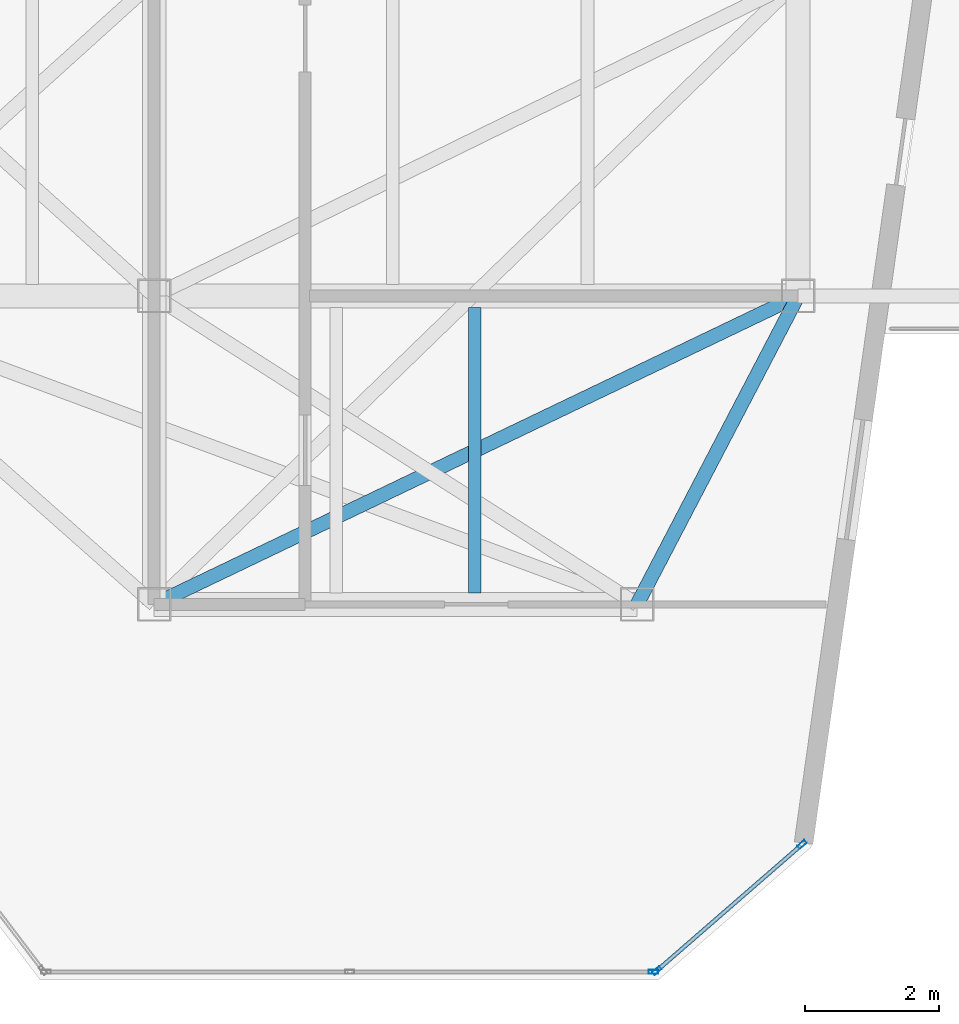
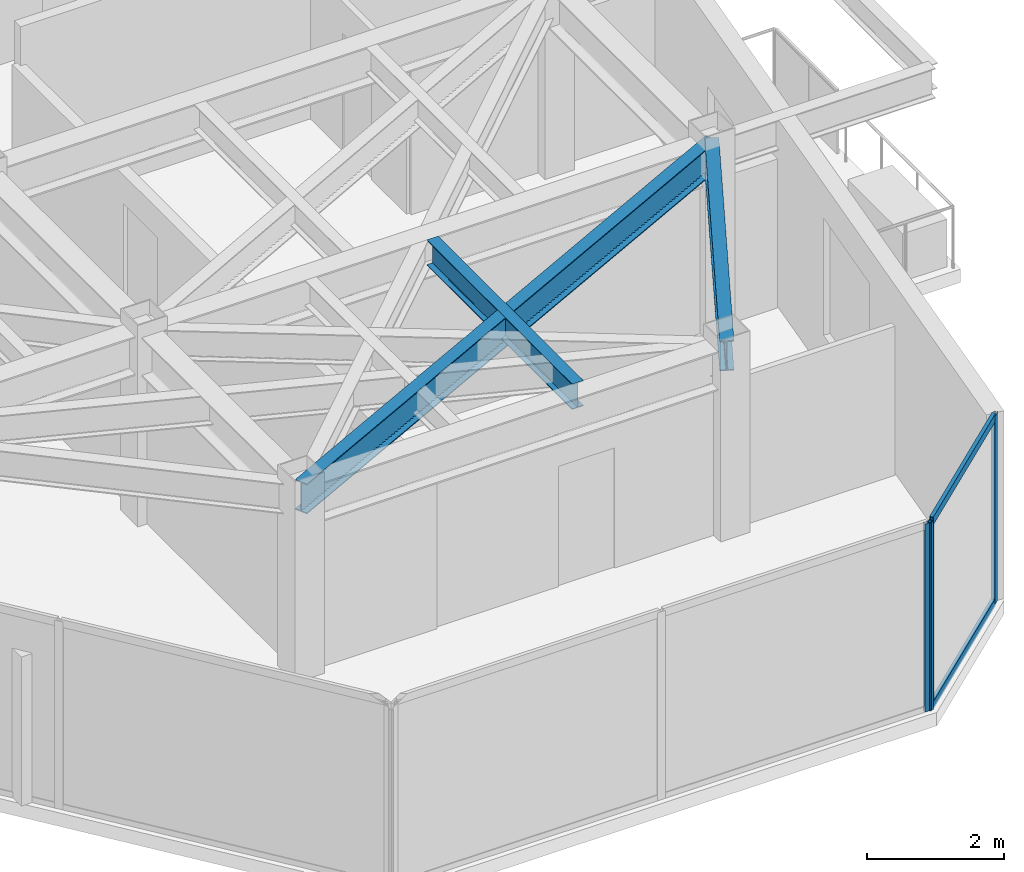
# One storey, part 14 of 20: 5 members, 3 beams, 2 elements without a shape of their own.
"""IFC4 building model written with IfcOpenShell, lengths in metres."""

from ifc_helpers import new_model, si_unit, direction, frame, origin, origin_2d, place, context, subcontext, project, spatial, hollow_rectangle, i_section, extrude, material, layer, layer_set, material_profile, profile_set, type_object, element, aggregate, save


model = new_model("IFC4")

# Units and contexts
model_context = context("Model", 3, precision=1e-05, world=origin(), true_north=direction((0.0, 1.0)))
body_context = subcontext(model_context, "Body", "Model", "MODEL_VIEW")
ifc_project = project(units=[si_unit("LENGTHUNIT", "METRE"), si_unit("AREAUNIT", "SQUARE_METRE"), si_unit("VOLUMEUNIT", "CUBIC_METRE"), si_unit("PLANEANGLEUNIT", "RADIAN"), si_unit("MASSUNIT", "GRAM", prefix="KILO")], contexts=[model_context])

# Site, building, storey
site_placement = place(None, origin())
site = spatial("IfcSite", under=ifc_project, at=site_placement, CompositionType="ELEMENT")
building_placement = place(site_placement, origin())
building = spatial("IfcBuilding", under=site, at=building_placement, Name="Kravanh Interchange Tower", CompositionType="ELEMENT")
storey_placement = place(building_placement, frame((0.0, 0.0, 234.60009765625)))
storey = spatial("IfcBuildingStorey", under=building, at=storey_placement, Name="L56", CompositionType="ELEMENT", Elevation=234.60009765625)

# Curtain wall, members
ifc_material_1 = material(Name="Anodised Bronze Aluminium", Category="aluminium")
ifc_layer = layer(ifc_material_1, 0.179931640625)
ifc_layer_set = layer_set([ifc_layer], Name="Unitised Curtain Wall System CW-HTL Luxury Hotel")
curtain_wall_type = type_object("IfcCurtainWallType", Name="Unitised Curtain Wall System CW-HTL Luxury Hotel", PredefinedType="NOTDEFINED", material=ifc_layer_set)
curtain_wall_1_placement = place(storey_placement, origin())
curtain_wall_1 = element("IfcCurtainWall", 1, at=curtain_wall_1_placement, inside=storey, type_object=curtain_wall_type, Name="L56 Unitised Curtain Wall CW-L56-02", PredefinedType="NOTDEFINED")
ifc_material_2 = material(Name="Anodised Bronze Aluminium", Category="aluminium")
ifc_material_profile_1 = material_profile(ifc_material_2, hollow_rectangle(XDim=0.06005859375, YDim=0.139892578125, WallThickness=0.00390625, at=origin_2d()), Name="ALU60X140X4")
ifc_profile_set_1 = profile_set([ifc_material_profile_1], Name="Anodised Bronze Aluminium")
member_type_1 = type_object("IfcMemberType", Name="Curtain Wall Mullion ALU60X140X4 Bronze", PredefinedType="MULLION", material=ifc_profile_set_1)
member_1_placement = place(storey_placement, frame((65.659912109375, 18.621826171875, 0.0), z_axis=(0.0, 0.0, 1.0), x_axis=(0.656033323139, -0.75473192521, 0.0)))
member_1 = element("IfcMember", 2, at=member_1_placement, type_object=member_type_1, Name="CW-HTL mullion 1", PredefinedType="MULLION", context=body_context, shape_type="SweptSolid", body=[
    extrude(hollow_rectangle(XDim=0.06005859375, YDim=0.139892578125, WallThickness=0.00390625, at=origin_2d()), origin(), (0.0, 0.0, 1.0), 3.35986328125),
])
member_2_placement = place(storey_placement, frame((63.494384765625, 16.73974609375, 0.0), z_axis=(0.0, 0.0, 1.0), x_axis=(0.656033323139, -0.75473192521, 0.0)))
member_2 = element("IfcMember", 3, at=member_2_placement, type_object=member_type_1, Name="CW-HTL mullion 2", PredefinedType="MULLION", context=body_context, shape_type="SweptSolid", body=[
    extrude(hollow_rectangle(XDim=0.06005859375, YDim=0.139892578125, WallThickness=0.00390625, at=origin_2d()), origin(), (0.0, 0.0, 1.0), 3.35986328125),
])

# Curtain wall, member
curtain_wall_2_placement = place(storey_placement, origin())
curtain_wall_2 = element("IfcCurtainWall", 4, at=curtain_wall_2_placement, inside=storey, type_object=curtain_wall_type, Name="L56 Unitised Curtain Wall CW-L56-03", PredefinedType="NOTDEFINED")
member_3_placement = place(storey_placement, frame((63.44189453125, 16.719970703125, 0.0), z_axis=(0.0, 0.0, 1.0), x_axis=(0.0, -1.0, 0.0)))
member_3 = element("IfcMember", 5, at=member_3_placement, type_object=member_type_1, Name="CW-HTL mullion 1", PredefinedType="MULLION", context=body_context, shape_type="SweptSolid", body=[
    extrude(hollow_rectangle(XDim=0.06005859375, YDim=0.139892578125, WallThickness=0.00390625, at=origin_2d()), origin(), (0.0, 0.0, 1.0), 3.35986328125),
])
aggregate(curtain_wall_2, [member_3])

# Member
ifc_material_3 = material(Name="Anodised Bronze Aluminium", Category="aluminium")
ifc_material_profile_2 = material_profile(ifc_material_3, hollow_rectangle(XDim=0.06005859375, YDim=0.139892578125, WallThickness=0.00390625, at=origin_2d()), Name="ALU60X140X4")
ifc_profile_set_2 = profile_set([ifc_material_profile_2], Name="Anodised Bronze Aluminium")
member_type_2 = type_object("IfcMemberType", Name="Curtain Wall Transom ALU60X140X4 Bronze", PredefinedType="USERDEFINED", material=ifc_profile_set_2)
member_4_placement = place(storey_placement, frame((65.63720703125, 18.602294921875, 0.02978515625), z_axis=(-0.754704676026, -0.656064670581, 0.0), x_axis=(0.656064670581, -0.754704676026, 0.0)))
member_4 = element("IfcMember", 6, at=member_4_placement, type_object=member_type_2, Name="CW-HTL transom 1.1", ObjectType="TRANSOM", PredefinedType="USERDEFINED", context=body_context, shape_type="SweptSolid", body=[
    extrude(hollow_rectangle(XDim=0.06005859375, YDim=0.139892578125, WallThickness=0.00390625, at=origin_2d()), origin(), (0.0, 0.0, 1.0), 2.80908203125),
])

member_5_placement = place(storey_placement, frame((65.63720703125, 18.602294921875, 3.329833984375), z_axis=(-0.754704676026, -0.656064670581, 0.0), x_axis=(0.656064670581, -0.754704676026, 0.0)))
member_5 = element("IfcMember", 7, at=member_5_placement, type_object=member_type_2, Name="CW-HTL transom 1.2", ObjectType="TRANSOM", PredefinedType="USERDEFINED", context=body_context, shape_type="SweptSolid", body=[
    extrude(hollow_rectangle(XDim=0.06005859375, YDim=0.139892578125, WallThickness=0.00390625, at=origin_2d()), origin(), (0.0, 0.0, 1.0), 2.80908203125),
])

aggregate(curtain_wall_1, [member_1, member_2, member_4, member_5])

# Beams
ifc_material_4 = material(Name="Structural Steel S355", Category="steel")
ifc_material_profile_3 = material_profile(ifc_material_4, i_section(OverallWidth=0.18994140625, OverallDepth=0.45703125, WebThickness=0.009033203125, FlangeThickness=0.014404296875, FilletRadius=0.01806640625, at=origin_2d()), Name="W18X50")
ifc_profile_set_3 = profile_set([ifc_material_profile_3], Name="Structural Steel S355")
beam_type_1 = type_object("IfcBeamType", Name="Floor Joist W18X50 Structural Steel S355", PredefinedType="JOIST", material=ifc_profile_set_3)
beam_1_placement = place(storey_placement, frame((60.780029296875, 22.37255859375, 3.13134765625), z_axis=(0.0, 1.0, 0.0), x_axis=(-1.0, 0.0, 0.0)))
element("IfcBeam", 8, at=beam_1_placement, inside=storey, type_object=beam_type_1, Name="L56 Secondary Floor Joist 2", PredefinedType="JOIST", context=body_context, shape_type="SweptSolid", body=[
    extrude(i_section(OverallWidth=0.18994140625, OverallDepth=0.45703125, WebThickness=0.009033203125, FlangeThickness=0.014404296875, FilletRadius=0.01806640625, at=origin_2d()), origin(), (0.0, 0.0, 1.0), 4.2548828125),
])
ifc_material_5 = material(Name="Structural Steel S355", Category="steel")
ifc_material_profile_4 = material_profile(ifc_material_5, i_section(OverallWidth=0.2099609375, OverallDepth=0.537109375, WebThickness=0.010986328125, FlangeThickness=0.017333984375, FilletRadius=0.02001953125, at=origin_2d()), Name="W21X68")
ifc_profile_set_4 = profile_set([ifc_material_profile_4], Name="Structural Steel S355")
beam_type_2 = type_object("IfcBeamType", Name="Floor Spandrel W21X68 Structural Steel S355", PredefinedType="SPANDREL", material=ifc_profile_set_4)
beam_2_placement = place(storey_placement, frame((65.60009765625, 26.800048828125, 3.09130859375), z_axis=(-0.462580479178, -0.886577295155, 0.0), x_axis=(0.886577295155, -0.462580479178, 0.0)))
element("IfcBeam", 9, at=beam_2_placement, inside=storey, type_object=beam_type_2, Name="L56 Perimeter Spandrel 37", PredefinedType="SPANDREL", context=body_context, shape_type="SweptSolid", body=[
    extrude(i_section(OverallWidth=0.2099609375, OverallDepth=0.537109375, WebThickness=0.010986328125, FlangeThickness=0.017333984375, FilletRadius=0.02001953125, at=origin_2d()), origin(), (0.0, 0.0, 1.0), 5.188720703125),
])
beam_3_placement = place(storey_placement, frame((65.60009765625, 26.800048828125, 3.09130859375), z_axis=(-0.901814166789, -0.432124066188, 0.0), x_axis=(0.432124066188, -0.901814166789, 0.0)))
element("IfcBeam", 10, at=beam_3_placement, inside=storey, type_object=beam_type_2, Name="L56 Perimeter Spandrel 38", PredefinedType="SPANDREL", context=body_context, shape_type="SweptSolid", body=[
    extrude(i_section(OverallWidth=0.2099609375, OverallDepth=0.537109375, WebThickness=0.010986328125, FlangeThickness=0.017333984375, FilletRadius=0.02001953125, at=origin_2d()), origin(), (0.0, 0.0, 1.0), 10.645263671875),
])

save(model, "model.ifc")
